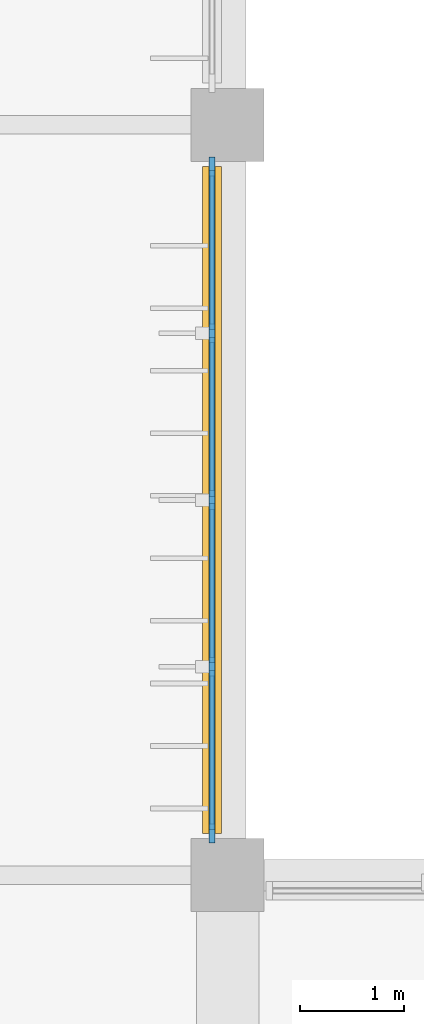
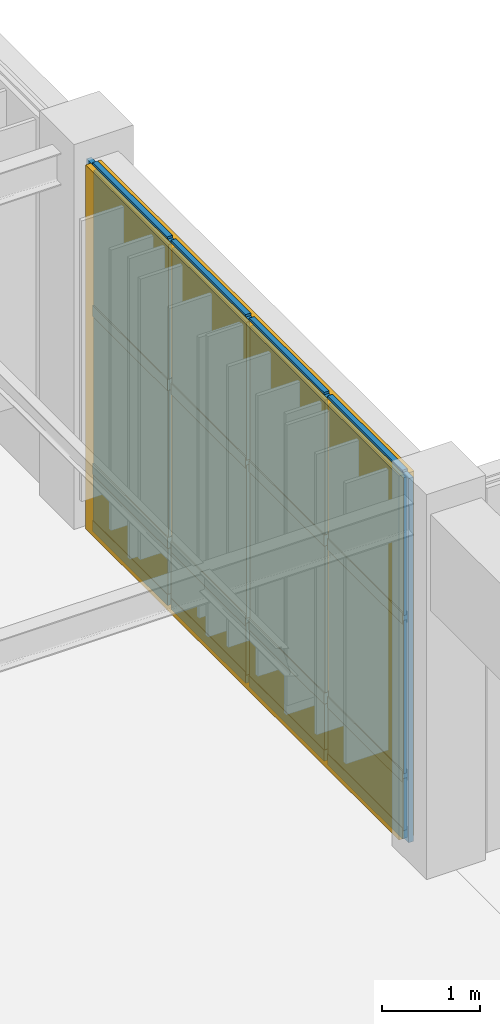
# One storey, part 69 of 122: 21 members, 12 plates, 1 curtain wall.
"""IFC4 building model written with IfcOpenShell, lengths in metres."""

from ifc_helpers import new_model, si_unit, direction, frame, frame_2d, origin, origin_2d, place, context, subcontext, project, spatial, rectangle, extrude, material, layer, layer_set, material_profile, profile_set, type_object, element, aggregate, save


model = new_model("IFC4")

# Units and contexts
model_context = context("Model", 3, precision=1e-05, world=origin(), true_north=direction((0.0, 1.0)))
body_context = subcontext(model_context, "Body", "Model", "MODEL_VIEW")
ifc_project = project(units=[si_unit("LENGTHUNIT", "METRE"), si_unit("AREAUNIT", "SQUARE_METRE"), si_unit("VOLUMEUNIT", "CUBIC_METRE"), si_unit("PLANEANGLEUNIT", "RADIAN"), si_unit("MASSUNIT", "GRAM", prefix="KILO")], contexts=[model_context])

# Member
ifc_material_1 = material(Name="Anodised Bronze Aluminium 6063-T6", Category="aluminium")
ifc_material_profile_1 = material_profile(ifc_material_1, rectangle(XDim=0.06005859375, YDim=0.179931640625, at=origin_2d()), Name="ALU MULLION 60x180")
ifc_profile_set_1 = profile_set([ifc_material_profile_1], Name="Anodised Bronze Aluminium 6063-T6")
member_type_1 = type_object("IfcMemberType", Name="Curtain-Wall Primary Mullion 60x180", PredefinedType="MULLION", material=ifc_profile_set_1)
site_placement = place(None, origin())
building_placement = place(site_placement, origin())
storey_placement = place(building_placement, origin())
member_1_placement = place(storey_placement, frame((27.449951171875, 52.199951171875, 0.0), z_axis=(0.0, 0.0, 1.0), x_axis=(1.0, 0.0, 0.0)))
member_1 = element("IfcMember", 1, at=member_1_placement, type_object=member_type_1, Name="Mullion CWM-01 CW-V6-E1-L00-B1-M01", PredefinedType="MULLION", context=body_context, shape_type="SweptSolid", body=[
    extrude(rectangle(XDim=0.06005859375, YDim=0.179931640625, at=origin_2d()), origin(), (0.0, 0.0, 1.0), 4.5400390625),
])

member_2_placement = place(storey_placement, frame((27.449951171875, 53.800048828125, 0.0), z_axis=(0.0, 0.0, 1.0), x_axis=(1.0, 0.0, 0.0)))
member_2 = element("IfcMember", 2, at=member_2_placement, type_object=member_type_1, Name="Mullion CWM-01 CW-V6-E1-L00-B1-M02", PredefinedType="MULLION", context=body_context, shape_type="SweptSolid", body=[
    extrude(rectangle(XDim=0.06005859375, YDim=0.179931640625, at=origin_2d()), origin(), (0.0, 0.0, 1.0), 4.5400390625),
])

member_3_placement = place(storey_placement, frame((27.449951171875, 55.39990234375, 0.0), z_axis=(0.0, 0.0, 1.0), x_axis=(1.0, 0.0, 0.0)))
member_3 = element("IfcMember", 3, at=member_3_placement, type_object=member_type_1, Name="Mullion CWM-01 CW-V6-E1-L00-B1-M03", PredefinedType="MULLION", context=body_context, shape_type="SweptSolid", body=[
    extrude(rectangle(XDim=0.06005859375, YDim=0.179931640625, at=origin_2d()), origin(), (0.0, 0.0, 1.0), 4.5400390625),
])

member_4_placement = place(storey_placement, frame((27.449951171875, 57.0, 0.0), z_axis=(0.0, 0.0, 1.0), x_axis=(1.0, 0.0, 0.0)))
member_4 = element("IfcMember", 4, at=member_4_placement, type_object=member_type_1, Name="Mullion CWM-01 CW-V6-E1-L00-B1-M04", PredefinedType="MULLION", context=body_context, shape_type="SweptSolid", body=[
    extrude(rectangle(XDim=0.06005859375, YDim=0.179931640625, at=origin_2d()), origin(), (0.0, 0.0, 1.0), 4.5400390625),
])

member_5_placement = place(storey_placement, frame((27.449951171875, 58.60009765625, 0.0), z_axis=(0.0, 0.0, 1.0), x_axis=(1.0, 0.0, 0.0)))
member_5 = element("IfcMember", 5, at=member_5_placement, type_object=member_type_1, Name="Mullion CWM-01 CW-V6-E1-L00-B1-M05", PredefinedType="MULLION", context=body_context, shape_type="SweptSolid", body=[
    extrude(rectangle(XDim=0.06005859375, YDim=0.179931640625, at=origin_2d()), origin(), (0.0, 0.0, 1.0), 4.5400390625),
])

ifc_material_profile_2 = material_profile(ifc_material_1, rectangle(XDim=0.06005859375, YDim=0.139892578125, at=origin_2d()), Name="ALU TRANSOM 60x140")
ifc_profile_set_2 = profile_set([ifc_material_profile_2], Name="Anodised Bronze Aluminium 6063-T6")
member_type_2 = type_object("IfcMemberType", Name="Curtain-Wall Transom 60x140", PredefinedType="USERDEFINED", material=ifc_profile_set_2)
member_6_placement = place(storey_placement, frame((27.449951171875, 52.235107421875, 0.0400390625), z_axis=(0.0, 1.0, 0.0), x_axis=(-1.0, 0.0, 0.0)))
member_6 = element("IfcMember", 6, at=member_6_placement, type_object=member_type_2, Name="Transom CWT-01 CW-V6-E1-L00-B1-T01.1", ObjectType="TRANSOM", PredefinedType="USERDEFINED", context=body_context, shape_type="SweptSolid", body=[
    extrude(rectangle(XDim=0.06005859375, YDim=0.139892578125, at=origin_2d()), origin(), (0.0, 0.0, 1.0), 1.52978515625),
])

member_7_placement = place(storey_placement, frame((27.449951171875, 52.235107421875, 0.75), z_axis=(0.0, 1.0, 0.0), x_axis=(-1.0, 0.0, 0.0)))
member_7 = element("IfcMember", 7, at=member_7_placement, type_object=member_type_2, Name="Transom CWT-01 CW-V6-E1-L00-B1-T01.2", ObjectType="TRANSOM", PredefinedType="USERDEFINED", context=body_context, shape_type="SweptSolid", body=[
    extrude(rectangle(XDim=0.06005859375, YDim=0.139892578125, at=origin_2d()), origin(), (0.0, 0.0, 1.0), 1.52978515625),
])

member_8_placement = place(storey_placement, frame((27.449951171875, 52.235107421875, 2.720703125), z_axis=(0.0, 1.0, 0.0), x_axis=(-1.0, 0.0, 0.0)))
member_8 = element("IfcMember", 8, at=member_8_placement, type_object=member_type_2, Name="Transom CWT-01 CW-V6-E1-L00-B1-T01.3", ObjectType="TRANSOM", PredefinedType="USERDEFINED", context=body_context, shape_type="SweptSolid", body=[
    extrude(rectangle(XDim=0.06005859375, YDim=0.139892578125, at=origin_2d()), origin(), (0.0, 0.0, 1.0), 1.52978515625),
])

member_9_placement = place(storey_placement, frame((27.449951171875, 52.235107421875, 4.5), z_axis=(0.0, 1.0, 0.0), x_axis=(-1.0, 0.0, 0.0)))
member_9 = element("IfcMember", 9, at=member_9_placement, type_object=member_type_2, Name="Transom CWT-01 CW-V6-E1-L00-B1-T01.4", ObjectType="TRANSOM", PredefinedType="USERDEFINED", context=body_context, shape_type="SweptSolid", body=[
    extrude(rectangle(XDim=0.06005859375, YDim=0.139892578125, at=origin_2d()), origin(), (0.0, 0.0, 1.0), 1.52978515625),
])

member_10_placement = place(storey_placement, frame((27.449951171875, 53.8349609375, 0.0400390625), z_axis=(0.0, 1.0, 0.0), x_axis=(-1.0, 0.0, 0.0)))
member_10 = element("IfcMember", 10, at=member_10_placement, type_object=member_type_2, Name="Transom CWT-01 CW-V6-E1-L00-B1-T02.1", ObjectType="TRANSOM", PredefinedType="USERDEFINED", context=body_context, shape_type="SweptSolid", body=[
    extrude(rectangle(XDim=0.06005859375, YDim=0.139892578125, at=origin_2d()), origin(), (0.0, 0.0, 1.0), 1.530029296875),
])

member_11_placement = place(storey_placement, frame((27.449951171875, 53.8349609375, 0.75), z_axis=(0.0, 1.0, 0.0), x_axis=(-1.0, 0.0, 0.0)))
member_11 = element("IfcMember", 11, at=member_11_placement, type_object=member_type_2, Name="Transom CWT-01 CW-V6-E1-L00-B1-T02.2", ObjectType="TRANSOM", PredefinedType="USERDEFINED", context=body_context, shape_type="SweptSolid", body=[
    extrude(rectangle(XDim=0.06005859375, YDim=0.139892578125, at=origin_2d()), origin(), (0.0, 0.0, 1.0), 1.530029296875),
])

member_12_placement = place(storey_placement, frame((27.449951171875, 53.8349609375, 2.720703125), z_axis=(0.0, 1.0, 0.0), x_axis=(-1.0, 0.0, 0.0)))
member_12 = element("IfcMember", 12, at=member_12_placement, type_object=member_type_2, Name="Transom CWT-01 CW-V6-E1-L00-B1-T02.3", ObjectType="TRANSOM", PredefinedType="USERDEFINED", context=body_context, shape_type="SweptSolid", body=[
    extrude(rectangle(XDim=0.06005859375, YDim=0.139892578125, at=origin_2d()), origin(), (0.0, 0.0, 1.0), 1.530029296875),
])

member_13_placement = place(storey_placement, frame((27.449951171875, 53.8349609375, 4.5), z_axis=(0.0, 1.0, 0.0), x_axis=(-1.0, 0.0, 0.0)))
member_13 = element("IfcMember", 13, at=member_13_placement, type_object=member_type_2, Name="Transom CWT-01 CW-V6-E1-L00-B1-T02.4", ObjectType="TRANSOM", PredefinedType="USERDEFINED", context=body_context, shape_type="SweptSolid", body=[
    extrude(rectangle(XDim=0.06005859375, YDim=0.139892578125, at=origin_2d()), origin(), (0.0, 0.0, 1.0), 1.530029296875),
])

member_14_placement = place(storey_placement, frame((27.449951171875, 55.43505859375, 0.0400390625), z_axis=(0.0, 1.0, 0.0), x_axis=(-1.0, 0.0, 0.0)))
member_14 = element("IfcMember", 14, at=member_14_placement, type_object=member_type_2, Name="Transom CWT-01 CW-V6-E1-L00-B1-T03.1", ObjectType="TRANSOM", PredefinedType="USERDEFINED", context=body_context, shape_type="SweptSolid", body=[
    extrude(rectangle(XDim=0.06005859375, YDim=0.139892578125, at=origin_2d()), origin(), (0.0, 0.0, 1.0), 1.530029296875),
])

member_15_placement = place(storey_placement, frame((27.449951171875, 55.43505859375, 0.75), z_axis=(0.0, 1.0, 0.0), x_axis=(-1.0, 0.0, 0.0)))
member_15 = element("IfcMember", 15, at=member_15_placement, type_object=member_type_2, Name="Transom CWT-01 CW-V6-E1-L00-B1-T03.2", ObjectType="TRANSOM", PredefinedType="USERDEFINED", context=body_context, shape_type="SweptSolid", body=[
    extrude(rectangle(XDim=0.06005859375, YDim=0.139892578125, at=origin_2d()), origin(), (0.0, 0.0, 1.0), 1.530029296875),
])

member_16_placement = place(storey_placement, frame((27.449951171875, 55.43505859375, 2.720703125), z_axis=(0.0, 1.0, 0.0), x_axis=(-1.0, 0.0, 0.0)))
member_16 = element("IfcMember", 16, at=member_16_placement, type_object=member_type_2, Name="Transom CWT-01 CW-V6-E1-L00-B1-T03.3", ObjectType="TRANSOM", PredefinedType="USERDEFINED", context=body_context, shape_type="SweptSolid", body=[
    extrude(rectangle(XDim=0.06005859375, YDim=0.139892578125, at=origin_2d()), origin(), (0.0, 0.0, 1.0), 1.530029296875),
])

member_17_placement = place(storey_placement, frame((27.449951171875, 55.43505859375, 4.5), z_axis=(0.0, 1.0, 0.0), x_axis=(-1.0, 0.0, 0.0)))
member_17 = element("IfcMember", 17, at=member_17_placement, type_object=member_type_2, Name="Transom CWT-01 CW-V6-E1-L00-B1-T03.4", ObjectType="TRANSOM", PredefinedType="USERDEFINED", context=body_context, shape_type="SweptSolid", body=[
    extrude(rectangle(XDim=0.06005859375, YDim=0.139892578125, at=origin_2d()), origin(), (0.0, 0.0, 1.0), 1.530029296875),
])

member_18_placement = place(storey_placement, frame((27.449951171875, 57.034912109375, 0.0400390625), z_axis=(0.0, 1.0, 0.0), x_axis=(-1.0, 0.0, 0.0)))
member_18 = element("IfcMember", 18, at=member_18_placement, type_object=member_type_2, Name="Transom CWT-01 CW-V6-E1-L00-B1-T04.1", ObjectType="TRANSOM", PredefinedType="USERDEFINED", context=body_context, shape_type="SweptSolid", body=[
    extrude(rectangle(XDim=0.06005859375, YDim=0.139892578125, at=origin_2d()), origin(), (0.0, 0.0, 1.0), 1.530029296875),
])

member_19_placement = place(storey_placement, frame((27.449951171875, 57.034912109375, 0.75), z_axis=(0.0, 1.0, 0.0), x_axis=(-1.0, 0.0, 0.0)))
member_19 = element("IfcMember", 19, at=member_19_placement, type_object=member_type_2, Name="Transom CWT-01 CW-V6-E1-L00-B1-T04.2", ObjectType="TRANSOM", PredefinedType="USERDEFINED", context=body_context, shape_type="SweptSolid", body=[
    extrude(rectangle(XDim=0.06005859375, YDim=0.139892578125, at=origin_2d()), origin(), (0.0, 0.0, 1.0), 1.530029296875),
])

member_20_placement = place(storey_placement, frame((27.449951171875, 57.034912109375, 2.720703125), z_axis=(0.0, 1.0, 0.0), x_axis=(-1.0, 0.0, 0.0)))
member_20 = element("IfcMember", 20, at=member_20_placement, type_object=member_type_2, Name="Transom CWT-01 CW-V6-E1-L00-B1-T04.3", ObjectType="TRANSOM", PredefinedType="USERDEFINED", context=body_context, shape_type="SweptSolid", body=[
    extrude(rectangle(XDim=0.06005859375, YDim=0.139892578125, at=origin_2d()), origin(), (0.0, 0.0, 1.0), 1.530029296875),
])

member_21_placement = place(storey_placement, frame((27.449951171875, 57.034912109375, 4.5), z_axis=(0.0, 1.0, 0.0), x_axis=(-1.0, 0.0, 0.0)))
member_21 = element("IfcMember", 21, at=member_21_placement, type_object=member_type_2, Name="Transom CWT-01 CW-V6-E1-L00-B1-T04.4", ObjectType="TRANSOM", PredefinedType="USERDEFINED", context=body_context, shape_type="SweptSolid", body=[
    extrude(rectangle(XDim=0.06005859375, YDim=0.139892578125, at=origin_2d()), origin(), (0.0, 0.0, 1.0), 1.530029296875),
])

# Plate
ifc_material_2 = material(Name="Insulated Bronze Aluminium Spandrel Panel", Category="aluminium")
ifc_layer_1 = layer(ifc_material_2, 0.050048828125, Name="Insulated Bronze Aluminium Spandrel Panel")
ifc_layer_set_1 = layer_set([ifc_layer_1], Name="Insulated Bronze Aluminium Spandrel Panel")
plate_type_1 = type_object("IfcPlateType", Name="Insulated Anodised Aluminium Spandrel Cassette 50", PredefinedType="CURTAIN_PANEL", material=ifc_layer_set_1)
plate_1_placement = place(storey_placement, frame((27.449951171875, 53.0, 0.070068359375), z_axis=(0.0, 0.0, 1.0), x_axis=(0.0, 1.0, 0.0)))
plate_1 = element("IfcPlate", 22, at=plate_1_placement, type_object=plate_type_1, Name="Curtain Panel CWP-03 CW-V6-E1-L00-B1-P01.1", PredefinedType="CURTAIN_PANEL", context=body_context, shape_type="SweptSolid", body=[
    extrude(rectangle(XDim=1.530029296875, YDim=0.050048828125, at=origin_2d()), origin(), (0.0, 0.0, 1.0), 0.64990234375),
])

plate_2_placement = place(storey_placement, frame((27.449951171875, 54.60009765625, 0.070068359375), z_axis=(0.0, 0.0, 1.0), x_axis=(0.0, 1.0, 0.0)))
plate_2 = element("IfcPlate", 23, at=plate_2_placement, type_object=plate_type_1, Name="Curtain Panel CWP-03 CW-V6-E1-L00-B1-P02.1", PredefinedType="CURTAIN_PANEL", context=body_context, shape_type="SweptSolid", body=[
    extrude(rectangle(XDim=1.530029296875, YDim=0.050048828125, at=origin_2d()), origin(), (0.0, 0.0, 1.0), 0.64990234375),
])

plate_3_placement = place(storey_placement, frame((27.449951171875, 56.199951171875, 0.070068359375), z_axis=(0.0, 0.0, 1.0), x_axis=(0.0, 1.0, 0.0)))
plate_3 = element("IfcPlate", 24, at=plate_3_placement, type_object=plate_type_1, Name="Curtain Panel CWP-03 CW-V6-E1-L00-B1-P03.1", PredefinedType="CURTAIN_PANEL", context=body_context, shape_type="SweptSolid", body=[
    extrude(rectangle(XDim=1.530029296875, YDim=0.050048828125, at=origin_2d()), origin(), (0.0, 0.0, 1.0), 0.64990234375),
])

plate_4_placement = place(storey_placement, frame((27.449951171875, 57.800048828125, 0.070068359375), z_axis=(0.0, 0.0, 1.0), x_axis=(0.0, 1.0, 0.0)))
plate_4 = element("IfcPlate", 25, at=plate_4_placement, type_object=plate_type_1, Name="Curtain Panel CWP-03 CW-V6-E1-L00-B1-P04.1", PredefinedType="CURTAIN_PANEL", context=body_context, shape_type="SweptSolid", body=[
    extrude(rectangle(XDim=1.530029296875, YDim=0.050048828125, at=origin_2d()), origin(), (0.0, 0.0, 1.0), 0.64990234375),
])

ifc_material_3 = material(Name="Solar-Control Tempered Double Glazing", Category="glass")
ifc_layer_2 = layer(ifc_material_3, 0.0380859375, Name="Solar-Control Tempered Double Glazing")
ifc_layer_set_2 = layer_set([ifc_layer_2], Name="Solar-Control Tempered Double Glazing")
plate_type_2 = type_object("IfcPlateType", Name="Solar-Control Vision Glazing Unit 38", PredefinedType="CURTAIN_PANEL", material=ifc_layer_set_2)
plate_5_placement = place(storey_placement, frame((27.449951171875, 53.0, 0.77978515625), z_axis=(0.0, 0.0, 1.0), x_axis=(0.0, 1.0, 0.0)))
plate_5 = element("IfcPlate", 26, at=plate_5_placement, type_object=plate_type_2, Name="Curtain Panel CWP-02 CW-V6-E1-L00-B1-P01.2", PredefinedType="CURTAIN_PANEL", context=body_context, shape_type="SweptSolid", body=[
    extrude(rectangle(XDim=1.530029296875, YDim=0.0380859375, at=origin_2d()), origin(), (0.0, 0.0, 1.0), 1.910888671875),
])

plate_6_placement = place(storey_placement, frame((27.449951171875, 53.0, 2.750732421875), z_axis=(0.0, 0.0, 1.0), x_axis=(0.0, 1.0, 0.0)))
plate_6 = element("IfcPlate", 27, at=plate_6_placement, type_object=plate_type_2, Name="Curtain Panel CWP-02 CW-V6-E1-L00-B1-P01.3", PredefinedType="CURTAIN_PANEL", context=body_context, shape_type="SweptSolid", body=[
    extrude(rectangle(XDim=1.530029296875, YDim=0.0380859375, at=origin_2d()), origin(), (0.0, 0.0, 1.0), 1.71923828125),
])

plate_7_placement = place(storey_placement, frame((27.449951171875, 54.60009765625, 0.77978515625), z_axis=(0.0, 0.0, 1.0), x_axis=(0.0, 1.0, 0.0)))
plate_7 = element("IfcPlate", 28, at=plate_7_placement, type_object=plate_type_2, Name="Curtain Panel CWP-02 CW-V6-E1-L00-B1-P02.2", PredefinedType="CURTAIN_PANEL", context=body_context, shape_type="SweptSolid", body=[
    extrude(rectangle(XDim=1.530029296875, YDim=0.0380859375, at=origin_2d()), origin(), (0.0, 0.0, 1.0), 1.910888671875),
])

plate_8_placement = place(storey_placement, frame((27.449951171875, 54.60009765625, 2.750732421875), z_axis=(0.0, 0.0, 1.0), x_axis=(0.0, 1.0, 0.0)))
plate_8 = element("IfcPlate", 29, at=plate_8_placement, type_object=plate_type_2, Name="Curtain Panel CWP-02 CW-V6-E1-L00-B1-P02.3", PredefinedType="CURTAIN_PANEL", context=body_context, shape_type="SweptSolid", body=[
    extrude(rectangle(XDim=1.530029296875, YDim=0.0380859375, at=origin_2d()), origin(), (0.0, 0.0, 1.0), 1.71923828125),
])

plate_9_placement = place(storey_placement, frame((27.449951171875, 56.199951171875, 0.77978515625), z_axis=(0.0, 0.0, 1.0), x_axis=(0.0, 1.0, 0.0)))
plate_9 = element("IfcPlate", 30, at=plate_9_placement, type_object=plate_type_2, Name="Curtain Panel CWP-02 CW-V6-E1-L00-B1-P03.2", PredefinedType="CURTAIN_PANEL", context=body_context, shape_type="SweptSolid", body=[
    extrude(rectangle(XDim=1.530029296875, YDim=0.0380859375, at=origin_2d()), origin(), (0.0, 0.0, 1.0), 1.910888671875),
])

plate_10_placement = place(storey_placement, frame((27.449951171875, 56.199951171875, 2.750732421875), z_axis=(0.0, 0.0, 1.0), x_axis=(0.0, 1.0, 0.0)))
plate_10 = element("IfcPlate", 31, at=plate_10_placement, type_object=plate_type_2, Name="Curtain Panel CWP-02 CW-V6-E1-L00-B1-P03.3", PredefinedType="CURTAIN_PANEL", context=body_context, shape_type="SweptSolid", body=[
    extrude(rectangle(XDim=1.530029296875, YDim=0.0380859375, at=origin_2d()), origin(), (0.0, 0.0, 1.0), 1.71923828125),
])

plate_11_placement = place(storey_placement, frame((27.449951171875, 57.800048828125, 0.77978515625), z_axis=(0.0, 0.0, 1.0), x_axis=(0.0, 1.0, 0.0)))
plate_11 = element("IfcPlate", 32, at=plate_11_placement, type_object=plate_type_2, Name="Curtain Panel CWP-02 CW-V6-E1-L00-B1-P04.2", PredefinedType="CURTAIN_PANEL", context=body_context, shape_type="SweptSolid", body=[
    extrude(rectangle(XDim=1.530029296875, YDim=0.0380859375, at=origin_2d()), origin(), (0.0, 0.0, 1.0), 1.910888671875),
])

plate_12_placement = place(storey_placement, frame((27.449951171875, 57.800048828125, 2.750732421875), z_axis=(0.0, 0.0, 1.0), x_axis=(0.0, 1.0, 0.0)))
plate_12 = element("IfcPlate", 33, at=plate_12_placement, type_object=plate_type_2, Name="Curtain Panel CWP-02 CW-V6-E1-L00-B1-P04.3", PredefinedType="CURTAIN_PANEL", context=body_context, shape_type="SweptSolid", body=[
    extrude(rectangle(XDim=1.530029296875, YDim=0.0380859375, at=origin_2d()), origin(), (0.0, 0.0, 1.0), 1.71923828125),
])

# Site, building, storey
site = spatial("IfcSite", under=ifc_project, at=site_placement, CompositionType="ELEMENT")
building = spatial("IfcBuilding", under=site, at=building_placement, Name="Tazoul Stagehouse", CompositionType="ELEMENT")
storey = spatial("IfcBuildingStorey", under=building, at=storey_placement, Name="L00", CompositionType="ELEMENT", Elevation=0.0)

# Curtain wall
curtain_wall_type = type_object("IfcCurtainWallType", Name="Foyer Clear Solar-Control Curtain Wall", PredefinedType="NOTDEFINED", material=ifc_material_1)
curtain_wall_placement = place(storey_placement, frame((27.449951171875, 52.199951171875, 0.0), z_axis=(0.0, 0.0, 1.0), x_axis=(0.0, 1.0, 0.0)))
curtain_wall = element("IfcCurtainWall", 34, at=curtain_wall_placement, inside=storey, type_object=curtain_wall_type, Name="L00 Curtain Wall CW-02 (CW-V6-E1-L00-B1)", PredefinedType="NOTDEFINED", context=body_context, shape_type="SweptSolid", body=[
    extrude(rectangle(XDim=6.400146484375, YDim=0.179931640625, at=frame_2d((3.2001953125, 0.0))), origin(), (0.0, 0.0, 1.0), 4.5400390625),
])

aggregate(curtain_wall, [member_1, member_2, member_3, member_4, member_5, member_6, member_7, member_8, member_9, plate_1, plate_5, plate_6, member_10, member_11, member_12, member_13, plate_2, plate_7, plate_8, member_14, member_15, member_16, member_17, plate_3, plate_9, plate_10, member_18, member_19, member_20, member_21, plate_4, plate_11, plate_12])

save(model, "model.ifc")
